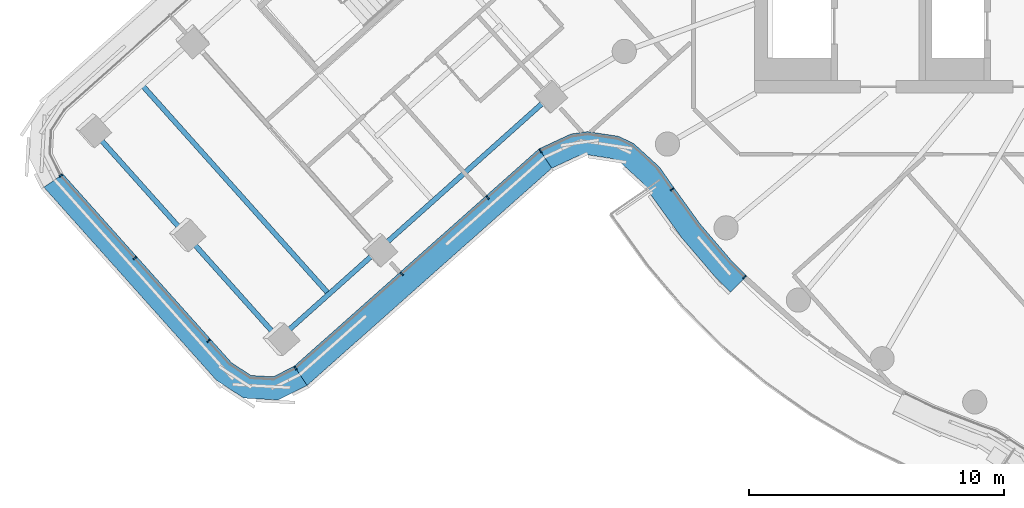
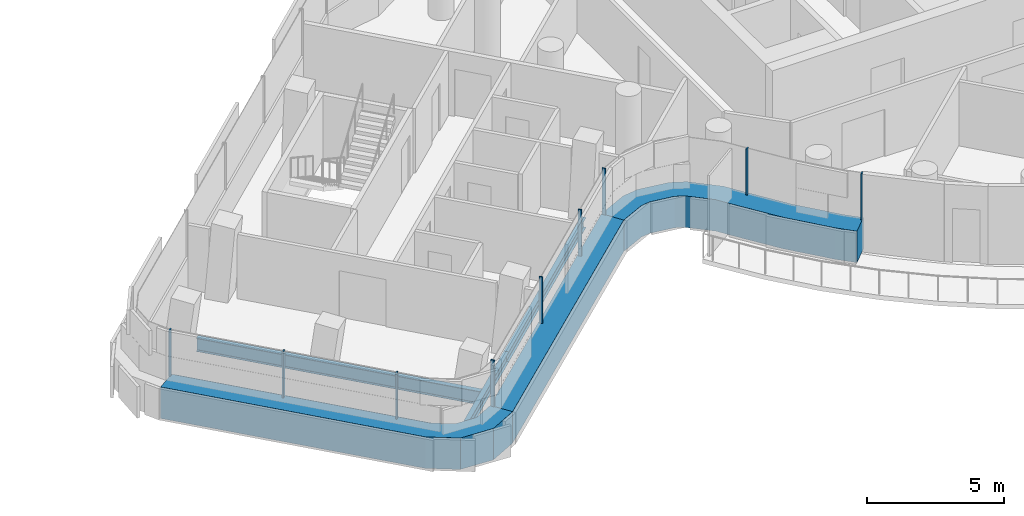
# One storey, part 2 of 33: 12 members, 5 beams, 3 elements without a shape of their own.
"""IFC4 building model written with IfcOpenShell, lengths in metres."""

from ifc_helpers import new_model, si_unit, direction, frame, origin, origin_2d, place, context, subcontext, project, spatial, polyline, rectangle, i_section, outline, extrude, material, layer, layer_set, material_profile, profile_set, type_object, element, aggregate, save


model = new_model("IFC4")

# Units and contexts
model_context = context("Model", 3, precision=1e-05, world=origin(), true_north=direction((0.0, 1.0)))
body_context = subcontext(model_context, "Body", "Model", "MODEL_VIEW")
ifc_project = project(units=[si_unit("LENGTHUNIT", "METRE"), si_unit("AREAUNIT", "SQUARE_METRE"), si_unit("VOLUMEUNIT", "CUBIC_METRE"), si_unit("PLANEANGLEUNIT", "RADIAN"), si_unit("MASSUNIT", "GRAM", prefix="KILO")], contexts=[model_context])

# Site, building, storey
site_placement = place(None, origin())
site = spatial("IfcSite", under=ifc_project, at=site_placement, CompositionType="ELEMENT")
building_placement = place(site_placement, origin())
building = spatial("IfcBuilding", under=site, at=building_placement, Name="Tamarind Cross Interchange Tower", CompositionType="ELEMENT")
storey_placement = place(building_placement, frame((0.0, 0.0, 186.10009765625)))
storey = spatial("IfcBuildingStorey", under=building, at=storey_placement, Name="L46", CompositionType="ELEMENT", Elevation=186.10009765625)

# Beams
ifc_material_1 = material(Name="Steel Q355B", Category="steel")
ifc_material_profile_1 = material_profile(ifc_material_1, i_section(OverallWidth=0.198974609375, OverallDepth=0.446044921875, WebThickness=0.008056640625, FlangeThickness=0.011962890625, FilletRadius=0.012939453125, at=origin_2d()), Name="HN 446x199x8x12")
ifc_profile_set_1 = profile_set([ifc_material_profile_1], Name="Steel Q355B")
beam_type_1 = type_object("IfcBeamType", Name="Composite beam HN 446x199x8x12 Q355B", PredefinedType="BEAM", material=ifc_profile_set_1)
beam_1_placement = place(storey_placement, frame((-35.15869140625, -19.138916015625, -0.363037109375), z_axis=(0.745572278021, 0.666424773134, 0.0), x_axis=(-0.666424773134, 0.745572278021, 0.0)))
element("IfcBeam", 1, at=beam_1_placement, inside=storey, type_object=beam_type_1, Name="Beam W-edgeep2", PredefinedType="BEAM", context=body_context, shape_type="SweptSolid", body=[
    extrude(i_section(OverallWidth=0.198974609375, OverallDepth=0.446044921875, WebThickness=0.008056640625, FlangeThickness=0.011962890625, FilletRadius=0.012939453125, at=origin_2d()), origin(), (0.0, 0.0, 1.0), 5.265380859375),
])
beam_2_placement = place(storey_placement, frame((-31.23291015625, -15.6298828125, -0.363037109375), z_axis=(0.745564039903, 0.666433989532, 0.0), x_axis=(-0.666433989532, 0.745564039903, 0.0)))
element("IfcBeam", 2, at=beam_2_placement, inside=storey, type_object=beam_type_1, Name="Beam W-edgeep3", PredefinedType="BEAM", context=body_context, shape_type="SweptSolid", body=[
    extrude(i_section(OverallWidth=0.198974609375, OverallDepth=0.446044921875, WebThickness=0.008056640625, FlangeThickness=0.011962890625, FilletRadius=0.012939453125, at=origin_2d()), origin(), (0.0, 0.0, 1.0), 8.999755859375),
])
ifc_material_profile_2 = material_profile(ifc_material_1, i_section(OverallWidth=0.198974609375, OverallDepth=0.595947265625, WebThickness=0.010009765625, FlangeThickness=0.014892578125, FilletRadius=0.012939453125, at=origin_2d()), Name="HN 596x199x10x15")
ifc_profile_set_2 = profile_set([ifc_material_profile_2], Name="Steel Q355B")
beam_type_2 = type_object("IfcBeamType", Name="Composite beam HN 596x199x10x15 Q355B", PredefinedType="BEAM", material=ifc_profile_set_2)
beam_3_placement = place(storey_placement, frame((-42.489501953125, -10.9375, -0.43798828125), z_axis=(0.666427594965, -0.745569755737, 0.0), x_axis=(0.745569755737, 0.666427594965, 0.0)))
element("IfcBeam", 3, at=beam_3_placement, inside=storey, type_object=beam_type_2, Name="Beam W-tip0", PredefinedType="BEAM", context=body_context, shape_type="SweptSolid", body=[
    extrude(i_section(OverallWidth=0.198974609375, OverallDepth=0.595947265625, WebThickness=0.010009765625, FlangeThickness=0.014892578125, FilletRadius=0.012939453125, at=origin_2d()), origin(), (0.0, 0.0, 1.0), 5.500244140625),
])
beam_4_placement = place(storey_placement, frame((-38.823974609375, -15.038330078125, -0.43798828125), z_axis=(0.666424975693, -0.745572096965, 0.0), x_axis=(0.745572096965, 0.666424975693, 0.0)))
element("IfcBeam", 4, at=beam_4_placement, inside=storey, type_object=beam_type_2, Name="Beam W-tip1", PredefinedType="BEAM", context=body_context, shape_type="SweptSolid", body=[
    extrude(i_section(OverallWidth=0.198974609375, OverallDepth=0.595947265625, WebThickness=0.010009765625, FlangeThickness=0.014892578125, FilletRadius=0.012939453125, at=origin_2d()), origin(), (0.0, 0.0, 1.0), 5.5),
])
beam_5_placement = place(storey_placement, frame((-40.526611328125, -9.18310546875, -0.43798828125), z_axis=(0.666437313087, -0.745561069078, 0.0), x_axis=(0.745561069078, 0.666437313087, 0.0)))
element("IfcBeam", 5, at=beam_5_placement, inside=storey, type_object=beam_type_2, Name="Beam W-x419", PredefinedType="BEAM", context=body_context, shape_type="SweptSolid", body=[
    extrude(i_section(OverallWidth=0.198974609375, OverallDepth=0.595947265625, WebThickness=0.010009765625, FlangeThickness=0.014892578125, FilletRadius=0.012939453125, at=origin_2d()), origin(), (0.0, 0.0, 1.0), 11.0),
])

# Curtain wall, member
ifc_material_2 = material(Name="Aluminium 6063-T6", Category="aluminium")
ifc_layer = layer(ifc_material_2, 0.139892578125)
ifc_layer_set = layer_set([ifc_layer], Name="Aluminium 6063-T6")
curtain_wall_type = type_object("IfcCurtainWallType", Name="Hotel curtain wall, 4.5 m bays", PredefinedType="NOTDEFINED", material=ifc_layer_set)
curtain_wall_1_placement = place(storey_placement, origin())
curtain_wall_1 = element("IfcCurtainWall", 6, at=curtain_wall_1_placement, inside=storey, type_object=curtain_wall_type, Name="CWS-L46-00", PredefinedType="NOTDEFINED")
ifc_material_3 = material(Name="Aluminium and insulated spandrel panel", Category="aluminium")
member_type_1 = type_object("IfcMemberType", Name="Floor-edge blade transom", PredefinedType="USERDEFINED", material=ifc_material_3)
member_1_placement = place(storey_placement, origin())
member_1 = element("IfcMember", 7, at=member_1_placement, type_object=member_type_1, Name="CWT-L46-00", ObjectType="TRANSOM", PredefinedType="USERDEFINED", context=body_context, shape_type="SweptSolid", body=[
    extrude(outline(polyline([(-43.626708984375, -12.677734375), (-37.014892578125, -20.074462890625), (-36.2490234375, -20.575927734375), (-35.3759765625, -20.624755859375), (-34.558349609375, -20.2119140625), (-34.04833984375, -20.962646484375), (-35.185546875, -21.536865234375), (-36.540283203125, -21.4609375), (-37.60693359375, -20.7626953125), (-44.37646484375, -13.189208984375), (-43.626708984375, -12.677734375)])), origin(), (0.0, 0.0, 1.0), 1.39990234375),
])

curtain_wall_2_placement = place(storey_placement, origin())
curtain_wall_2 = element("IfcCurtainWall", 8, at=curtain_wall_2_placement, inside=storey, type_object=curtain_wall_type, Name="CWS-L46-01", PredefinedType="NOTDEFINED")
member_2_placement = place(storey_placement, origin())
member_2 = element("IfcMember", 9, at=member_2_placement, type_object=member_type_1, Name="CWT-L46-01", ObjectType="TRANSOM", PredefinedType="USERDEFINED", context=body_context, shape_type="SweptSolid", body=[
    extrude(outline(polyline([(-34.558349609375, -20.2119140625), (-24.954833984375, -11.684814453125), (-24.45556640625, -12.4453125), (-34.04833984375, -20.962646484375), (-34.558349609375, -20.2119140625)])), origin(), (0.0, 0.0, 1.0), 1.39990234375),
])

curtain_wall_3_placement = place(storey_placement, origin())
curtain_wall_3 = element("IfcCurtainWall", 10, at=curtain_wall_3_placement, inside=storey, type_object=curtain_wall_type, Name="CWS-L46-02", PredefinedType="NOTDEFINED")
member_3_placement = place(storey_placement, origin())
member_3 = element("IfcMember", 11, at=member_3_placement, type_object=member_type_1, Name="CWT-L46-02-0", ObjectType="TRANSOM", PredefinedType="USERDEFINED", context=body_context, shape_type="SweptSolid", body=[
    extrude(outline(polyline([(-24.954833984375, -11.684814453125), (-23.701171875, -11.1015625), (-23.052490234375, -11.0087890625), (-21.832275390625, -11.19580078125), (-21.240966796875, -11.478271484375), (-20.226806640625, -12.403564453125), (-19.786865234375, -13.03759765625), (-18.636474609375, -14.634521484375), (-17.3642578125, -16.12353515625), (-16.810302734375, -16.6728515625), (-17.44921875, -17.306640625), (-18.0244140625, -16.736572265625), (-19.344970703125, -15.19091796875), (-20.52197265625, -13.557373046875), (-20.908447265625, -13.0), (-21.749267578125, -12.23291015625), (-22.10009765625, -12.065185546875), (-23.05712890625, -11.918701171875), (-23.442138671875, -11.9736328125), (-24.45556640625, -12.4453125), (-24.954833984375, -11.684814453125)])), origin(), (0.0, 0.0, 1.0), 1.39990234375),
])

# Member
ifc_material_profile_3 = material_profile(ifc_material_2, rectangle(XDim=0.06005859375, YDim=0.139892578125, at=origin_2d()), Name="Mullion CW2")
ifc_profile_set_3 = profile_set([ifc_material_profile_3], Name="Aluminium 6063-T6")
member_type_2 = type_object("IfcMemberType", Name="Mullion CW2", PredefinedType="MULLION", material=ifc_profile_set_3)
member_4_placement = place(storey_placement, frame((-43.7099609375, -12.734375, 1.39990234375), z_axis=(0.0, 0.0, 1.0), x_axis=(0.563410698363, -0.826176969523, 0.0)))
member_4 = element("IfcMember", 12, at=member_4_placement, type_object=member_type_2, Name="CWM-L46-00-00", PredefinedType="MULLION", context=body_context, shape_type="SweptSolid", body=[
    extrude(rectangle(XDim=0.06005859375, YDim=0.139892578125, at=origin_2d()), origin(), (0.0, 0.0, 1.0), 2.06005859375),
])

member_5_placement = place(storey_placement, frame((-40.81396484375, -15.974365234375, 1.39990234375), z_axis=(0.0, 0.0, 1.0), x_axis=(0.666428375667, -0.745569057905, 0.0)))
member_5 = element("IfcMember", 13, at=member_5_placement, type_object=member_type_2, Name="CWM-L46-00-01", PredefinedType="MULLION", context=body_context, shape_type="SweptSolid", body=[
    extrude(rectangle(XDim=0.06005859375, YDim=0.139892578125, at=origin_2d()), origin(), (0.0, 0.0, 1.0), 2.06005859375),
])

member_6_placement = place(storey_placement, frame((-37.91796875, -19.21435546875, 1.39990234375), z_axis=(0.0, 0.0, 1.0), x_axis=(0.666428375667, -0.745569057905, 0.0)))
member_6 = element("IfcMember", 14, at=member_6_placement, type_object=member_type_2, Name="CWM-L46-00-02", PredefinedType="MULLION", context=body_context, shape_type="SweptSolid", body=[
    extrude(rectangle(XDim=0.06005859375, YDim=0.139892578125, at=origin_2d()), origin(), (0.0, 0.0, 1.0), 2.06005859375),
])

aggregate(curtain_wall_1, [member_4, member_5, member_6, member_1])

member_7_placement = place(storey_placement, frame((-34.501708984375, -20.29541015625, 1.39990234375), z_axis=(0.0, 0.0, 1.0), x_axis=(0.827111028383, 0.562038563381, 0.0)))
member_7 = element("IfcMember", 15, at=member_7_placement, type_object=member_type_2, Name="CWM-L46-01-00", PredefinedType="MULLION", context=body_context, shape_type="SweptSolid", body=[
    extrude(rectangle(XDim=0.06005859375, YDim=0.139892578125, at=origin_2d()), origin(), (0.0, 0.0, 1.0), 2.06005859375),
])

member_8_placement = place(storey_placement, frame((-30.333251953125, -16.59423828125, 1.39990234375), z_axis=(0.0, 0.0, 1.0), x_axis=(0.747777335464, 0.663949588874, 0.0)))
member_8 = element("IfcMember", 16, at=member_8_placement, type_object=member_type_2, Name="CWM-L46-01-01", PredefinedType="MULLION", context=body_context, shape_type="SweptSolid", body=[
    extrude(rectangle(XDim=0.06005859375, YDim=0.139892578125, at=origin_2d()), origin(), (0.0, 0.0, 1.0), 2.06005859375),
])

member_9_placement = place(storey_placement, frame((-26.967529296875, -13.605712890625, 1.39990234375), z_axis=(0.0, 0.0, 1.0), x_axis=(0.747777335464, 0.663949588874, 0.0)))
member_9 = element("IfcMember", 17, at=member_9_placement, type_object=member_type_2, Name="CWM-L46-01-02", PredefinedType="MULLION", context=body_context, shape_type="SweptSolid", body=[
    extrude(rectangle(XDim=0.06005859375, YDim=0.139892578125, at=origin_2d()), origin(), (0.0, 0.0, 1.0), 2.06005859375),
])

aggregate(curtain_wall_2, [member_7, member_8, member_9, member_2])

member_10_placement = place(storey_placement, frame((-24.8994140625, -11.769287109375, 1.39990234375), z_axis=(0.0, 0.0, 1.0), x_axis=(0.835998779782, 0.54873130055, 0.0)))
member_10 = element("IfcMember", 18, at=member_10_placement, type_object=member_type_2, Name="CWM-L46-02-00", PredefinedType="MULLION", context=body_context, shape_type="SweptSolid", body=[
    extrude(rectangle(XDim=0.06005859375, YDim=0.139892578125, at=origin_2d()), origin(), (0.0, 0.0, 1.0), 2.06005859375),
])

member_11_placement = place(storey_placement, frame((-19.73974609375, -13.2744140625, 1.39990234375), z_axis=(0.0, 0.0, 1.0), x_axis=(0.584573890505, -0.811340475102, 0.0)))
member_11 = element("IfcMember", 19, at=member_11_placement, type_object=member_type_2, Name="CWM-L46-02-01", PredefinedType="MULLION", context=body_context, shape_type="SweptSolid", body=[
    extrude(rectangle(XDim=0.06005859375, YDim=0.139892578125, at=origin_2d()), origin(), (0.0, 0.0, 1.0), 2.06005859375),
])

member_12_placement = place(storey_placement, frame((-16.90234375, -16.72216796875, 1.39990234375), z_axis=(0.0, 0.0, 1.0), x_axis=(0.710143317658, -0.704057148523, 0.0)))
member_12 = element("IfcMember", 20, at=member_12_placement, type_object=member_type_2, Name="CWM-L46-02-02", PredefinedType="MULLION", context=body_context, shape_type="SweptSolid", body=[
    extrude(rectangle(XDim=0.06005859375, YDim=0.139892578125, at=origin_2d()), origin(), (0.0, 0.0, 1.0), 2.06005859375),
])

aggregate(curtain_wall_3, [member_10, member_11, member_12, member_3])

save(model, "model.ifc")
